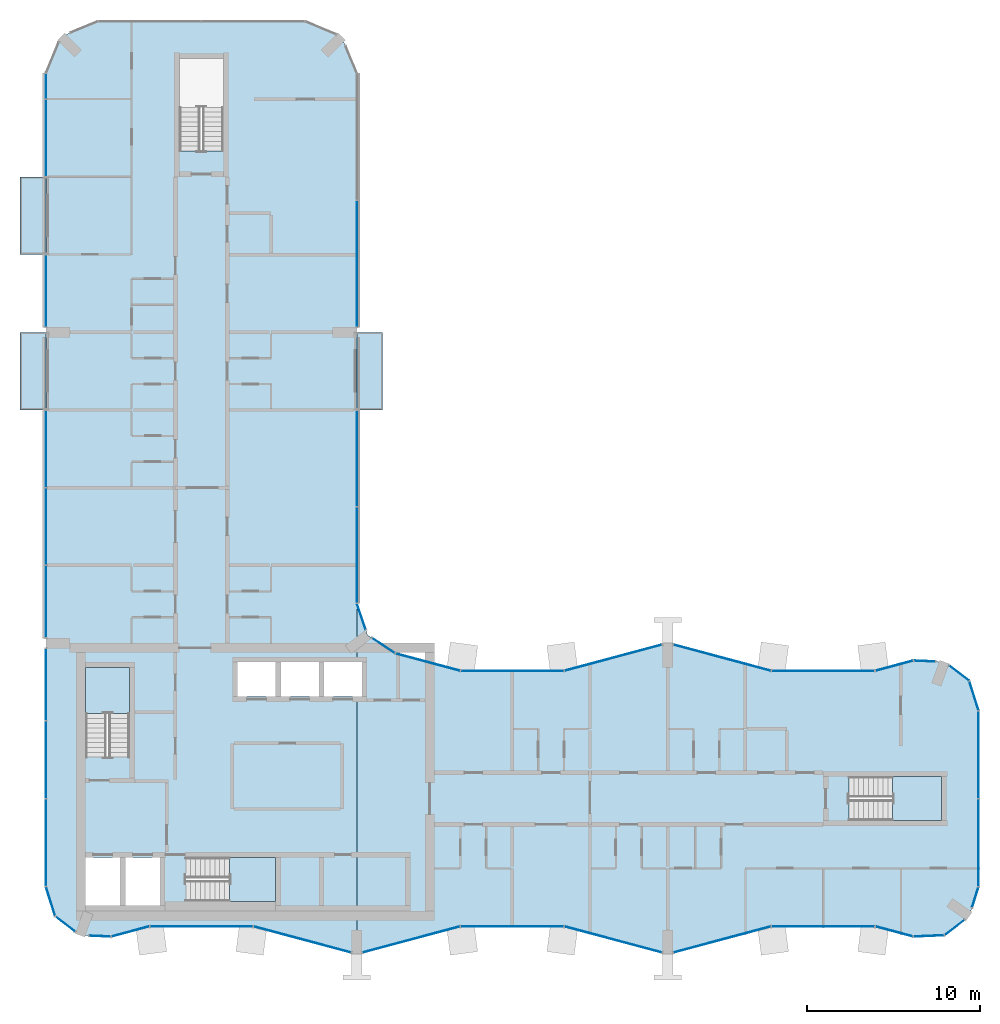
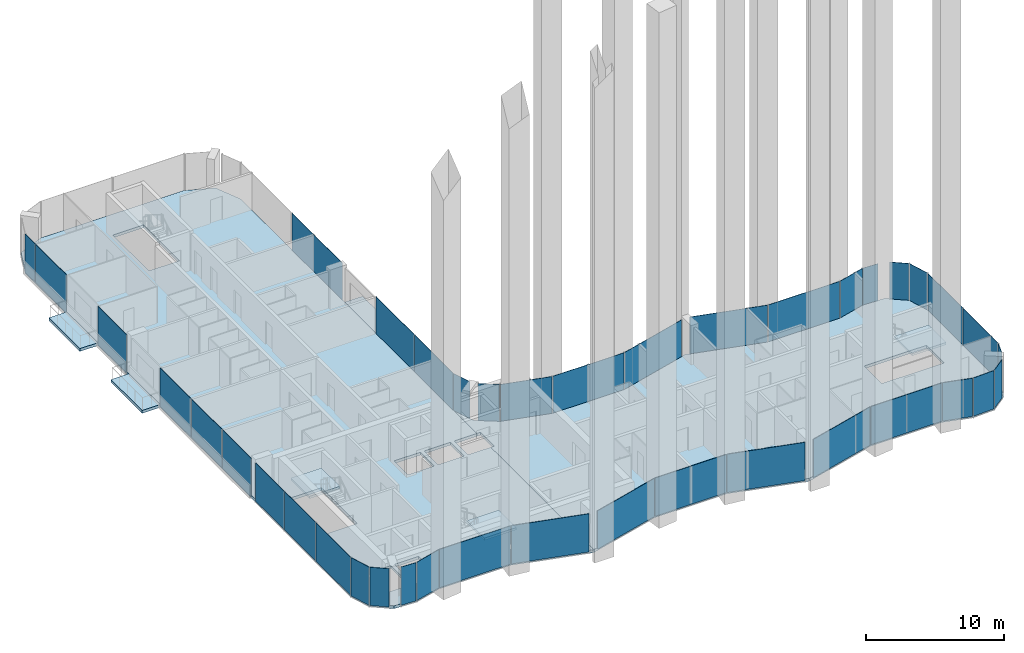
# One storey, part 8 of 17: 40 plates, 8 slabs, 36 elements without a shape of their own.
"""IFC4 building model written with IfcOpenShell, lengths in metres."""

import ifcopenshell
import ifcopenshell.guid

model = None  # the IFC model being written
_history = None  # IfcOwnerHistory: only IFC2X3 demands one
_inside = {}  # id of a spatial element -> (the spatial element, [elements in it])
_under = {}  # id of a project, library or spatial element -> (it, [spatial elements below it])
_declared = {}  # id of a project -> (the project, [libraries it declares])
_typed = {}  # id of a type object -> (the type object, [elements of that type])
_made_of = {}  # id of a material, layer set ... -> (it, [elements and type objects made of it])


def new_model(schema):
    """Start an empty IFC model of exactly this schema.

    Asked for "IFC4X3", IfcOpenShell would pick the latest addendum, in which some entities
    have other attributes; the version numbers below select the first issue.
    IFC2X3 requires an IfcOwnerHistory on every rooted entity: one is made here for all.
    """
    global model, _history
    if schema == "IFC4X3":
        model = ifcopenshell.file(schema_version=(4, 3, 0, 0))
    else:
        model = ifcopenshell.file(schema=schema)
    _inside.clear()
    _under.clear()
    _declared.clear()
    _typed.clear()
    _made_of.clear()
    _history = None
    if model.schema == "IFC2X3":
        org = make("IfcOrganization", Name="unknown")
        user = make(
            "IfcPersonAndOrganization",
            ThePerson=make("IfcPerson", FamilyName="unknown"),
            TheOrganization=org,
        )
        app = make(
            "IfcApplication",
            ApplicationDeveloper=org,
            Version="unknown",
            ApplicationFullName="unknown",
            ApplicationIdentifier="unknown",
        )
        _history = make(
            "IfcOwnerHistory",
            OwningUser=user,
            OwningApplication=app,
            ChangeAction="ADDED",
            CreationDate=0,
        )
    return model


def make(cls, **values):
    """One entity of the class cls with the attributes given. An attribute that is None is left unset."""
    return model.create_entity(
        cls, **{name: value for name, value in values.items() if value is not None}
    )


def rooted(cls, **values):
    """An entity with a GlobalId (a new one), such as an element, a storey or a relation."""
    return make(cls, GlobalId=ifcopenshell.guid.new(), OwnerHistory=_history, **values)


def si_unit(unit_type, name, prefix=None):
    """IfcSIUnit, for example si_unit("LENGTHUNIT", "METRE", prefix="MILLI")."""
    return make("IfcSIUnit", UnitType=unit_type, Prefix=prefix, Name=name)


def assignment(units):
    """IfcUnitAssignment: the units of a project."""
    return None if units is None else make("IfcUnitAssignment", Units=units)


def point(xyz):
    """IfcCartesianPoint."""
    return None if xyz is None else make("IfcCartesianPoint", Coordinates=xyz)


def direction(xyz):
    """IfcDirection."""
    return None if xyz is None else make("IfcDirection", DirectionRatios=xyz)


def frame(location, z_axis=None, x_axis=None):
    """IfcAxis2Placement3D, a coordinate frame: its origin and axes. An axis left out is left unset."""
    return make(
        "IfcAxis2Placement3D",
        Location=point(location),
        Axis=direction(z_axis),
        RefDirection=direction(x_axis),
    )


def frame_2d(location, x_axis=None):
    """IfcAxis2Placement2D, a coordinate frame in the plane: its origin and x axis."""
    return make(
        "IfcAxis2Placement2D", Location=point(location), RefDirection=direction(x_axis)
    )


def origin():
    """The frame at (0, 0, 0) with its axes left unset."""
    return frame((0.0, 0.0, 0.0))


def origin_2d():
    """The frame at (0, 0) in the plane with its x axis left unset."""
    return frame_2d((0.0, 0.0))


def place(relative_to, where):
    """IfcLocalPlacement: puts the frame where relative to a parent placement (None: the world)."""
    return make(
        "IfcLocalPlacement", PlacementRelTo=relative_to, RelativePlacement=where
    )


def context(
    kind, dimensions, precision=None, world=None, true_north=None, identifier=None
):
    """IfcGeometricRepresentationContext, for example the 3D "Model" context."""
    return make(
        "IfcGeometricRepresentationContext",
        ContextIdentifier=identifier,
        ContextType=kind,
        CoordinateSpaceDimension=dimensions,
        Precision=precision,
        WorldCoordinateSystem=world,
        TrueNorth=true_north,
    )


def subcontext(parent, identifier, kind, view, scale=None):
    """IfcGeometricRepresentationSubContext, for example "Body" below "Model"."""
    return make(
        "IfcGeometricRepresentationSubContext",
        ContextIdentifier=identifier,
        ContextType=kind,
        ParentContext=parent,
        TargetScale=scale,
        TargetView=view,
    )


def project(units=None, contexts=None):
    """IfcProject with its units and contexts."""
    return rooted(
        "IfcProject",
        Name="project",
        RepresentationContexts=contexts,
        UnitsInContext=assignment(units),
    )


def spatial(cls, under=None, at=None, **own):
    """A site, building, storey or space (cls), placed at a placement, below another one or the project."""
    s = rooted(cls, ObjectPlacement=at, **own)
    if under is not None:
        _under.setdefault(under.id(), (under, []))[1].append(s)
    return s


def polyline(points):
    """IfcPolyline through the points."""
    return make("IfcPolyline", Points=[point(p) for p in points])


def profile(cls, at=None, kind="AREA", **sizes):
    """A parametric profile (cls). Its sizes go by their IFC names, for example OverallWidth=200.0."""
    return make(cls, ProfileType=kind, Position=at, **sizes)


def rectangle(**sizes):
    """IfcRectangleProfileDef."""
    return profile("IfcRectangleProfileDef", **sizes)


def outline(outer, holes=None, kind="AREA"):
    """IfcArbitraryClosedProfileDef: a profile drawn as a closed curve; with holes, ...WithVoids."""
    if holes is None:
        return make("IfcArbitraryClosedProfileDef", ProfileType=kind, OuterCurve=outer)
    return make(
        "IfcArbitraryProfileDefWithVoids",
        ProfileType=kind,
        OuterCurve=outer,
        InnerCurves=holes,
    )


def extrude(swept, where, along, depth):
    """IfcExtrudedAreaSolid: the profile swept, set in the frame where, extruded along a direction by depth."""
    return make(
        "IfcExtrudedAreaSolid",
        SweptArea=swept,
        Position=where,
        ExtrudedDirection=direction(along),
        Depth=depth,
    )


def shape(context_of_items, identifier, shape_type, items):
    """IfcShapeRepresentation: the items that make up one representation, for example the "Body"."""
    return make(
        "IfcShapeRepresentation",
        ContextOfItems=context_of_items,
        RepresentationIdentifier=identifier,
        RepresentationType=shape_type,
        Items=items,
    )


def material(Name=None, Category=None):
    """IfcMaterial."""
    return make("IfcMaterial", Name=Name, Category=Category)


def layer(
    of_material, thickness, ventilated=None, Name=None, Category=None, Priority=None
):
    """IfcMaterialLayer: one layer of a wall or slab, of a material (None: an air gap)."""
    return make(
        "IfcMaterialLayer",
        Material=of_material,
        LayerThickness=thickness,
        IsVentilated=ventilated,
        Name=Name,
        Category=Category,
        Priority=Priority,
    )


def layer_set(layers, Name=None):
    """IfcMaterialLayerSet."""
    return make("IfcMaterialLayerSet", MaterialLayers=layers, LayerSetName=Name)


def made_of(thing, what):
    """Note that an element or type object is made of a material, layer set ...; save() writes the relation."""
    if what is not None:
        _made_of.setdefault(what.id(), (what, []))[1].append(thing)
    return thing


def type_object(cls, material=None, **own):
    """A type object (cls), such as IfcWallType, which elements share."""
    return made_of(rooted(cls, **own), material)


def element(
    cls,
    number,
    at=None,
    inside=None,
    cuts=None,
    type_object=None,
    material=None,
    context=None,
    identifier="Body",
    shape_type=None,
    held_by="IfcProductDefinitionShape",
    body=None,
    shapes=None,
    **own,
):
    """One element of the class cls, such as IfcWall. Its Tag is "e" and its number.

    at: its placement. inside: the storey or other place that contains it. cuts: it is an
    opening in that element (IfcRelVoidsElement). A single representation is given by context,
    identifier, shape_type and body (its items); several are given by shapes. held_by: the class
    of the entity that holds the representations. save() writes the other relations.
    """
    e = rooted(cls, Tag="e%d" % number, ObjectPlacement=at, **own)
    if body is not None:
        shapes = [shape(context, identifier, shape_type, body)]
    if shapes is not None:
        e.Representation = make(held_by, Representations=shapes)
    if inside is not None:
        _inside.setdefault(inside.id(), (inside, []))[1].append(e)
    if cuts is not None:
        rooted(
            "IfcRelVoidsElement", RelatingBuildingElement=cuts, RelatedOpeningElement=e
        )
    if type_object is not None:
        _typed.setdefault(type_object.id(), (type_object, []))[1].append(e)
    return made_of(e, material)


def aggregate(whole, parts):
    """IfcRelAggregates: a whole, such as a stair, and the parts it consists of."""
    return rooted("IfcRelAggregates", RelatingObject=whole, RelatedObjects=parts)


def save(model, path):
    """Write the relations noted so far, then the file.

    IfcRelAggregates (storeys below a building ...), IfcRelContainedInSpatialStructure (elements
    in a storey), IfcRelDefinesByType, IfcRelAssociatesMaterial and IfcRelDeclares: one each for
    every whole, place, type object, material and project.
    """
    for whole, parts in _under.values():
        aggregate(whole, parts)
    for where, things in _inside.values():
        rooted(
            "IfcRelContainedInSpatialStructure",
            RelatedElements=things,
            RelatingStructure=where,
        )
    for kind, things in _typed.values():
        rooted("IfcRelDefinesByType", RelatedObjects=things, RelatingType=kind)
    for what, things in _made_of.values():
        rooted("IfcRelAssociatesMaterial", RelatedObjects=things, RelatingMaterial=what)
    for by, libraries in _declared.values():
        rooted("IfcRelDeclares", RelatingContext=by, RelatedDefinitions=libraries)
    model.write(path)


model = new_model("IFC4")

# Units and contexts
model_context = context("Model", 3, precision=1e-05, world=origin(), true_north=direction((0.0, 1.0)))
body_context = subcontext(model_context, "Body", "Model", "MODEL_VIEW")
ifc_project = project(units=[si_unit("LENGTHUNIT", "METRE"), si_unit("AREAUNIT", "SQUARE_METRE"), si_unit("VOLUMEUNIT", "CUBIC_METRE"), si_unit("PLANEANGLEUNIT", "RADIAN"), si_unit("MASSUNIT", "GRAM", prefix="KILO")], contexts=[model_context])

# Site, building, storey
site_placement = place(None, origin())
site = spatial("IfcSite", under=ifc_project, at=site_placement, CompositionType="ELEMENT")
building_placement = place(site_placement, origin())
building = spatial("IfcBuilding", under=site, at=building_placement, Name="Plateau Cross Towers", CompositionType="ELEMENT")
storey_placement = place(building_placement, frame((0.0, 0.0, 190.89990234375)))
storey = spatial("IfcBuildingStorey", under=building, at=storey_placement, Name="L49", CompositionType="ELEMENT", Elevation=190.89990234375)

# Slabs
ifc_material_1 = material(Name="Concrete C40/50", Category="concrete")
ifc_layer_1 = layer(ifc_material_1, 0.25)
ifc_layer_set_1 = layer_set([ifc_layer_1], Name="Concrete C40/50")
slab_type_1 = type_object("IfcSlabType", Name="Balcony slab 250", PredefinedType="FLOOR", material=ifc_layer_set_1)
slab_1_placement = place(storey_placement, frame((0.0, 0.0, -0.25)))
element("IfcSlab", 1, at=slab_1_placement, inside=storey, type_object=slab_type_1, Name="Balcony slab A-BAL-L49-01", PredefinedType="FLOOR", context=body_context, shape_type="SweptSolid", body=[
    extrude(outline(polyline([(0.0, 31.5), (0.0, 36.0), (-1.5, 36.0), (-1.5, 31.5), (0.0, 31.5)])), origin(), (0.0, 0.0, 1.0), 0.25),
])
slab_2_placement = place(storey_placement, frame((0.0, 0.0, -0.25)))
element("IfcSlab", 2, at=slab_2_placement, inside=storey, type_object=slab_type_1, Name="Balcony slab A-BAL-L49-02", PredefinedType="FLOOR", context=body_context, shape_type="SweptSolid", body=[
    extrude(outline(polyline([(0.0, 40.5), (0.0, 45.0), (-1.5, 45.0), (-1.5, 40.5), (0.0, 40.5)])), origin(), (0.0, 0.0, 1.0), 0.25),
])
slab_3_placement = place(storey_placement, frame((0.0, 0.0, -0.25)))
element("IfcSlab", 3, at=slab_3_placement, inside=storey, type_object=slab_type_1, Name="Balcony slab A-BAL-L49-03", PredefinedType="FLOOR", context=body_context, shape_type="SweptSolid", body=[
    extrude(outline(polyline([(19.5, 31.5), (19.5, 36.0), (18.0, 36.0), (18.0, 31.5), (19.5, 31.5)])), origin(), (0.0, 0.0, 1.0), 0.25),
])

# Curtain wall, plate
ifc_material_2 = material(Name="Dark low-iron glass", Category="glass")
ifc_layer_2 = layer(ifc_material_2, 0.239990234375)
ifc_layer_set_2 = layer_set([ifc_layer_2], Name="Dark low-iron glass")
curtain_wall_type_1 = type_object("IfcCurtainWallType", Name="Curtain wall flush unitised CW-B", PredefinedType="NOTDEFINED", material=ifc_layer_set_2)
curtain_wall_1_placement = place(storey_placement, origin())
curtain_wall_1 = element("IfcCurtainWall", 4, at=curtain_wall_1_placement, inside=storey, type_object=curtain_wall_type_1, Name="ENV/A/L49/A502_10", PredefinedType="NOTDEFINED")
ifc_layer_3 = layer(ifc_material_2, 0.031982421875)
ifc_layer_set_3 = layer_set([ifc_layer_3], Name="Dark low-iron glass")
plate_type_1 = type_object("IfcPlateType", Name="Glass panel 32 flush unitised", PredefinedType="CURTAIN_PANEL", material=ifc_layer_set_3)
plate_1_placement = place(storey_placement, frame((51.125, 1.05078125, -0.1298828125), z_axis=(0.0, 0.0, 1.0), x_axis=(0.999043701491, 0.043722791671, 0.0)))
plate_1 = element("IfcPlate", 5, at=plate_1_placement, type_object=plate_type_1, Name="CW-B panel 1", PredefinedType="CURTAIN_PANEL", context=body_context, shape_type="SweptSolid", body=[
    extrude(rectangle(XDim=1.744140625, YDim=0.031982421875, at=origin_2d()), origin(), (0.0, 0.0, 1.0), 3.3798828125),
])
aggregate(curtain_wall_1, [plate_1])

curtain_wall_2_placement = place(storey_placement, origin())
curtain_wall_2 = element("IfcCurtainWall", 6, at=curtain_wall_2_placement, inside=storey, type_object=curtain_wall_type_1, Name="ENV/A/L49/A520_11", PredefinedType="NOTDEFINED")
plate_2_placement = place(storey_placement, frame((52.60986328125, 1.5380859375, -0.1298828125), z_axis=(0.0, 0.0, 1.0), x_axis=(0.793315514529, 0.608810721331, 0.0)))
plate_2 = element("IfcPlate", 7, at=plate_2_placement, type_object=plate_type_1, Name="CW-B panel 1", PredefinedType="CURTAIN_PANEL", context=body_context, shape_type="SweptSolid", body=[
    extrude(rectangle(XDim=1.41162109375, YDim=0.031982421875, at=origin_2d()), origin(), (0.0, 0.0, 1.0), 3.3798828125),
])
aggregate(curtain_wall_2, [plate_2])

curtain_wall_3_placement = place(storey_placement, origin())
curtain_wall_3 = element("IfcCurtainWall", 8, at=curtain_wall_3_placement, inside=storey, type_object=curtain_wall_type_1, Name="ENV/A/L49/A536_27", PredefinedType="NOTDEFINED")
plate_3_placement = place(storey_placement, frame((53.805419921875, 3.292236328125, -0.1298828125), z_axis=(0.0, 0.0, 1.0), x_axis=(0.300686174994, 0.95372313811, 0.0)))
plate_3 = element("IfcPlate", 9, at=plate_3_placement, type_object=plate_type_1, Name="CW-B panel 1", PredefinedType="CURTAIN_PANEL", context=body_context, shape_type="SweptSolid", body=[
    extrude(rectangle(XDim=1.233642578125, YDim=0.031982421875, at=origin_2d()), origin(), (0.0, 0.0, 1.0), 3.3798828125),
])
aggregate(curtain_wall_3, [plate_3])

# Curtain wall, plates
curtain_wall_4_placement = place(storey_placement, origin())
curtain_wall_4 = element("IfcCurtainWall", 10, at=curtain_wall_4_placement, inside=storey, type_object=curtain_wall_type_1, Name="ENV/A/L49/A540_39", PredefinedType="NOTDEFINED")
plate_4_placement = place(storey_placement, frame((54.0, 6.45458984375, -0.1298828125), z_axis=(0.0, 0.0, 1.0), x_axis=(0.0, 1.0, 0.0)))
plate_4 = element("IfcPlate", 11, at=plate_4_placement, type_object=plate_type_1, Name="CW-B panel 1", PredefinedType="CURTAIN_PANEL", context=body_context, shape_type="SweptSolid", body=[
    extrude(rectangle(XDim=5.03076171875, YDim=0.031982421875, at=origin_2d()), origin(), (0.0, 0.0, 1.0), 3.3798828125),
])
plate_5_placement = place(storey_placement, frame((54.0, 11.54541015625, -0.1298828125), z_axis=(0.0, 0.0, 1.0), x_axis=(0.0, 1.0, 0.0)))
plate_5 = element("IfcPlate", 12, at=plate_5_placement, type_object=plate_type_1, Name="CW-B panel 2", PredefinedType="CURTAIN_PANEL", context=body_context, shape_type="SweptSolid", body=[
    extrude(rectangle(XDim=5.03076171875, YDim=0.031982421875, at=origin_2d()), origin(), (0.0, 0.0, 1.0), 3.3798828125),
])
aggregate(curtain_wall_4, [plate_4, plate_5])

# Curtain wall, plate
curtain_wall_5_placement = place(storey_placement, origin())
curtain_wall_5 = element("IfcCurtainWall", 13, at=curtain_wall_5_placement, inside=storey, type_object=curtain_wall_type_1, Name="ENV/A/L49/A540_141", PredefinedType="NOTDEFINED")
plate_6_placement = place(storey_placement, frame((53.728759765625, 14.951171875, -0.1298828125), z_axis=(0.0, 0.0, 1.0), x_axis=(-0.300686174994, 0.95372313811, 0.0)))
plate_6 = element("IfcPlate", 14, at=plate_6_placement, type_object=plate_type_1, Name="CW-B panel 1", PredefinedType="CURTAIN_PANEL", context=body_context, shape_type="SweptSolid", body=[
    extrude(rectangle(XDim=1.744140625, YDim=0.031982421875, at=origin_2d()), origin(), (0.0, 0.0, 1.0), 3.3798828125),
])
aggregate(curtain_wall_5, [plate_6])

curtain_wall_6_placement = place(storey_placement, origin())
curtain_wall_6 = element("IfcCurtainWall", 15, at=curtain_wall_6_placement, inside=storey, type_object=curtain_wall_type_1, Name="ENV/A/L49/A535_158", PredefinedType="NOTDEFINED")
plate_7_placement = place(storey_placement, frame((52.873779296875, 16.25927734375, -0.1298828125), z_axis=(0.0, 0.0, 1.0), x_axis=(-0.793315514529, 0.608810721331, 0.0)))
plate_7 = element("IfcPlate", 16, at=plate_7_placement, type_object=plate_type_1, Name="CW-B panel 1", PredefinedType="CURTAIN_PANEL", context=body_context, shape_type="SweptSolid", body=[
    extrude(rectangle(XDim=1.41162109375, YDim=0.031982421875, at=origin_2d()), origin(), (0.0, 0.0, 1.0), 3.3798828125),
])
aggregate(curtain_wall_6, [plate_7])

curtain_wall_7_placement = place(storey_placement, origin())
curtain_wall_7 = element("IfcCurtainWall", 17, at=curtain_wall_7_placement, inside=storey, type_object=curtain_wall_type_1, Name="ENV/A/L49/A515_169", PredefinedType="NOTDEFINED")
plate_8_placement = place(storey_placement, frame((50.8701171875, 16.96044921875, -0.1298828125), z_axis=(0.0, 0.0, 1.0), x_axis=(-0.999043701491, 0.043722791671, 0.0)))
plate_8 = element("IfcPlate", 18, at=plate_8_placement, type_object=plate_type_1, Name="CW-B panel 1", PredefinedType="CURTAIN_PANEL", context=body_context, shape_type="SweptSolid", body=[
    extrude(rectangle(XDim=1.233642578125, YDim=0.031982421875, at=origin_2d()), origin(), (0.0, 0.0, 1.0), 3.3798828125),
])
aggregate(curtain_wall_7, [plate_8])

curtain_wall_8_placement = place(storey_placement, origin())
curtain_wall_8 = element("IfcCurtainWall", 19, at=curtain_wall_8_placement, inside=storey, type_object=curtain_wall_type_1, Name="ENV/A/L49/A202_174", PredefinedType="NOTDEFINED")
plate_9_placement = place(storey_placement, frame((19.546630859375, 17.856689453125, -0.1298828125), z_axis=(0.0, 0.0, 1.0), x_axis=(-0.831521253329, 0.555492938984, 0.0)))
plate_9 = element("IfcPlate", 20, at=plate_9_placement, type_object=plate_type_1, Name="CW-B panel 1", PredefinedType="CURTAIN_PANEL", context=body_context, shape_type="SweptSolid", body=[
    extrude(rectangle(XDim=1.56884765625, YDim=0.031982421875, at=origin_2d()), origin(), (0.0, 0.0, 1.0), 3.3798828125),
])
aggregate(curtain_wall_8, [plate_9])

curtain_wall_9_placement = place(storey_placement, origin())
curtain_wall_9 = element("IfcCurtainWall", 21, at=curtain_wall_9_placement, inside=storey, type_object=curtain_wall_type_1, Name="ENV/A/L49/A185_188", PredefinedType="NOTDEFINED")
plate_10_placement = place(storey_placement, frame((18.26171875, 19.531005859375, -0.1298828125), z_axis=(0.0, 0.0, 1.0), x_axis=(-0.321469161574, 0.94692004845, 0.0)))
plate_10 = element("IfcPlate", 22, at=plate_10_placement, type_object=plate_type_1, Name="CW-B panel 1", PredefinedType="CURTAIN_PANEL", context=body_context, shape_type="SweptSolid", body=[
    extrude(rectangle(XDim=1.56884765625, YDim=0.031982421875, at=origin_2d()), origin(), (0.0, 0.0, 1.0), 3.3798828125),
])
aggregate(curtain_wall_9, [plate_10])

# Curtain wall, plates
curtain_wall_10_placement = place(storey_placement, origin())
curtain_wall_10 = element("IfcCurtainWall", 23, at=curtain_wall_10_placement, inside=storey, type_object=curtain_wall_type_1, Name="ENV/A/L49/A180_203", PredefinedType="NOTDEFINED")
plate_11_placement = place(storey_placement, frame((18.0, 23.09912109375, -0.1298828125), z_axis=(0.0, 0.0, 1.0), x_axis=(0.0, 1.0, 0.0)))
plate_11 = element("IfcPlate", 24, at=plate_11_placement, type_object=plate_type_1, Name="CW-B panel 1", PredefinedType="CURTAIN_PANEL", context=body_context, shape_type="SweptSolid", body=[
    extrude(rectangle(XDim=5.533935546875, YDim=0.031982421875, at=origin_2d()), origin(), (0.0, 0.0, 1.0), 3.3798828125),
])
plate_12_placement = place(storey_placement, frame((18.0, 28.693115234375, -0.1298828125), z_axis=(0.0, 0.0, 1.0), x_axis=(0.0, 1.0, 0.0)))
plate_12 = element("IfcPlate", 25, at=plate_12_placement, type_object=plate_type_1, Name="CW-B panel 2", PredefinedType="CURTAIN_PANEL", context=body_context, shape_type="SweptSolid", body=[
    extrude(rectangle(XDim=5.533935546875, YDim=0.031982421875, at=origin_2d()), origin(), (0.0, 0.0, 1.0), 3.3798828125),
])
aggregate(curtain_wall_10, [plate_11, plate_12])

# Curtain wall, plate
curtain_wall_11_placement = place(storey_placement, origin())
curtain_wall_11 = element("IfcCurtainWall", 26, at=curtain_wall_11_placement, inside=storey, type_object=curtain_wall_type_1, Name="ENV/A/L49/A180_363", PredefinedType="NOTDEFINED")
plate_13_placement = place(storey_placement, frame((18.0, 39.97509765625, -0.1298828125), z_axis=(0.0, 0.0, 1.0), x_axis=(0.0, 1.0, 0.0)))
plate_13 = element("IfcPlate", 27, at=plate_13_placement, type_object=plate_type_1, Name="CW-B panel 1", PredefinedType="CURTAIN_PANEL", context=body_context, shape_type="SweptSolid", body=[
    extrude(rectangle(XDim=7.2900390625, YDim=0.031982421875, at=origin_2d()), origin(), (0.0, 0.0, 1.0), 3.3798828125),
])
aggregate(curtain_wall_11, [plate_13])

# Curtain wall, plates
curtain_wall_12_placement = place(storey_placement, origin())
curtain_wall_12 = element("IfcCurtainWall", 28, at=curtain_wall_12_placement, inside=storey, type_object=curtain_wall_type_1, Name="ENV/A/L49/A0_510", PredefinedType="NOTDEFINED")
plate_14_placement = place(storey_placement, frame((0.0, 50.25, -0.1298828125), z_axis=(0.0, 0.0, 1.0), x_axis=(0.0, -1.0, 0.0)))
plate_14 = element("IfcPlate", 29, at=plate_14_placement, type_object=plate_type_1, Name="CW-B panel 1", PredefinedType="CURTAIN_PANEL", context=body_context, shape_type="SweptSolid", body=[
    extrude(rectangle(XDim=1.43994140625, YDim=0.031982421875, at=origin_2d()), origin(), (0.0, 0.0, 1.0), 3.3798828125),
])
plate_15_placement = place(storey_placement, frame((0.0, 47.2548828125, -0.1298828125), z_axis=(0.0, 0.0, 1.0), x_axis=(0.0, -1.0, 0.0)))
plate_15 = element("IfcPlate", 30, at=plate_15_placement, type_object=plate_type_1, Name="CW-B panel 2", PredefinedType="CURTAIN_PANEL", context=body_context, shape_type="SweptSolid", body=[
    extrude(rectangle(XDim=4.429931640625, YDim=0.031982421875, at=origin_2d()), origin(), (0.0, 0.0, 1.0), 3.3798828125),
])
aggregate(curtain_wall_12, [plate_14, plate_15])

# Curtain wall, plate
curtain_wall_13_placement = place(storey_placement, origin())
curtain_wall_13 = element("IfcCurtainWall", 31, at=curtain_wall_13_placement, inside=storey, type_object=curtain_wall_type_1, Name="ENV/A/L49/A0_405", PredefinedType="NOTDEFINED")
plate_16_placement = place(storey_placement, frame((0.0, 38.39501953125, -0.1298828125), z_axis=(0.0, 0.0, 1.0), x_axis=(0.0, -1.0, 0.0)))
plate_16 = element("IfcPlate", 32, at=plate_16_placement, type_object=plate_type_1, Name="CW-B panel 1", PredefinedType="CURTAIN_PANEL", context=body_context, shape_type="SweptSolid", body=[
    extrude(rectangle(XDim=4.1298828125, YDim=0.031982421875, at=origin_2d()), origin(), (0.0, 0.0, 1.0), 3.3798828125),
])
aggregate(curtain_wall_13, [plate_16])

# Curtain wall, plates
curtain_wall_14_placement = place(storey_placement, origin())
curtain_wall_14 = element("IfcCurtainWall", 33, at=curtain_wall_14_placement, inside=storey, type_object=curtain_wall_type_1, Name="ENV/A/L49/A0_315", PredefinedType="NOTDEFINED")
plate_17_placement = place(storey_placement, frame((0.0, 29.2451171875, -0.1298828125), z_axis=(0.0, 0.0, 1.0), x_axis=(0.0, -1.0, 0.0)))
plate_17 = element("IfcPlate", 34, at=plate_17_placement, type_object=plate_type_1, Name="CW-B panel 1", PredefinedType="CURTAIN_PANEL", context=body_context, shape_type="SweptSolid", body=[
    extrude(rectangle(XDim=4.429931640625, YDim=0.031982421875, at=origin_2d()), origin(), (0.0, 0.0, 1.0), 3.3798828125),
])
plate_18_placement = place(storey_placement, frame((0.0, 24.75, -0.1298828125), z_axis=(0.0, 0.0, 1.0), x_axis=(0.0, -1.0, 0.0)))
plate_18 = element("IfcPlate", 35, at=plate_18_placement, type_object=plate_type_1, Name="CW-B panel 2", PredefinedType="CURTAIN_PANEL", context=body_context, shape_type="SweptSolid", body=[
    extrude(rectangle(XDim=4.43994140625, YDim=0.031982421875, at=origin_2d()), origin(), (0.0, 0.0, 1.0), 3.3798828125),
])
plate_19_placement = place(storey_placement, frame((0.0, 20.39990234375, -0.1298828125), z_axis=(0.0, 0.0, 1.0), x_axis=(0.0, -1.0, 0.0)))
plate_19 = element("IfcPlate", 36, at=plate_19_placement, type_object=plate_type_1, Name="CW-B panel 3", PredefinedType="CURTAIN_PANEL", context=body_context, shape_type="SweptSolid", body=[
    extrude(rectangle(XDim=4.139892578125, YDim=0.031982421875, at=origin_2d()), origin(), (0.0, 0.0, 1.0), 3.3798828125),
])
aggregate(curtain_wall_14, [plate_17, plate_18, plate_19])

curtain_wall_15_placement = place(storey_placement, origin())
curtain_wall_15 = element("IfcCurtainWall", 37, at=curtain_wall_15_placement, inside=storey, type_object=curtain_wall_type_1, Name="ENV/A/L49/A0_177", PredefinedType="NOTDEFINED")
plate_20_placement = place(storey_placement, frame((0.0, 15.60009765625, -0.1298828125), z_axis=(0.0, 0.0, 1.0), x_axis=(0.0, -1.0, 0.0)))
plate_20 = element("IfcPlate", 38, at=plate_20_placement, type_object=plate_type_1, Name="CW-B panel 1", PredefinedType="CURTAIN_PANEL", context=body_context, shape_type="SweptSolid", body=[
    extrude(rectangle(XDim=4.139892578125, YDim=0.031982421875, at=origin_2d()), origin(), (0.0, 0.0, 1.0), 3.3798828125),
])
plate_21_placement = place(storey_placement, frame((0.0, 11.25, -0.1298828125), z_axis=(0.0, 0.0, 1.0), x_axis=(0.0, -1.0, 0.0)))
plate_21 = element("IfcPlate", 39, at=plate_21_placement, type_object=plate_type_1, Name="CW-B panel 2", PredefinedType="CURTAIN_PANEL", context=body_context, shape_type="SweptSolid", body=[
    extrude(rectangle(XDim=4.43994140625, YDim=0.031982421875, at=origin_2d()), origin(), (0.0, 0.0, 1.0), 3.3798828125),
])
plate_22_placement = place(storey_placement, frame((0.0, 6.45458984375, -0.1298828125), z_axis=(0.0, 0.0, 1.0), x_axis=(0.0, -1.0, 0.0)))
plate_22 = element("IfcPlate", 40, at=plate_22_placement, type_object=plate_type_1, Name="CW-B panel 3", PredefinedType="CURTAIN_PANEL", context=body_context, shape_type="SweptSolid", body=[
    extrude(rectangle(XDim=5.03076171875, YDim=0.031982421875, at=origin_2d()), origin(), (0.0, 0.0, 1.0), 3.3798828125),
])
aggregate(curtain_wall_15, [plate_20, plate_21, plate_22])

# Curtain wall, plate
curtain_wall_16_placement = place(storey_placement, origin())
curtain_wall_16 = element("IfcCurtainWall", 41, at=curtain_wall_16_placement, inside=storey, type_object=curtain_wall_type_1, Name="ENV/A/L49/A0_39", PredefinedType="NOTDEFINED")
plate_23_placement = place(storey_placement, frame((0.271240234375, 3.048828125, -0.1298828125), z_axis=(0.0, 0.0, 1.0), x_axis=(0.300686174994, -0.95372313811, 0.0)))
plate_23 = element("IfcPlate", 42, at=plate_23_placement, type_object=plate_type_1, Name="CW-B panel 1", PredefinedType="CURTAIN_PANEL", context=body_context, shape_type="SweptSolid", body=[
    extrude(rectangle(XDim=1.744140625, YDim=0.031982421875, at=origin_2d()), origin(), (0.0, 0.0, 1.0), 3.3798828125),
])
aggregate(curtain_wall_16, [plate_23])

curtain_wall_17_placement = place(storey_placement, origin())
curtain_wall_17 = element("IfcCurtainWall", 43, at=curtain_wall_17_placement, inside=storey, type_object=curtain_wall_type_1, Name="ENV/A/L49/A5_22", PredefinedType="NOTDEFINED")
plate_24_placement = place(storey_placement, frame((1.126220703125, 1.74072265625, -0.1298828125), z_axis=(0.0, 0.0, 1.0), x_axis=(0.793315514529, -0.608810721331, 0.0)))
plate_24 = element("IfcPlate", 44, at=plate_24_placement, type_object=plate_type_1, Name="CW-B panel 1", PredefinedType="CURTAIN_PANEL", context=body_context, shape_type="SweptSolid", body=[
    extrude(rectangle(XDim=1.41162109375, YDim=0.031982421875, at=origin_2d()), origin(), (0.0, 0.0, 1.0), 3.3798828125),
])
aggregate(curtain_wall_17, [plate_24])

curtain_wall_18_placement = place(storey_placement, origin())
curtain_wall_18 = element("IfcCurtainWall", 45, at=curtain_wall_18_placement, inside=storey, type_object=curtain_wall_type_1, Name="ENV/A/L49/A25_11", PredefinedType="NOTDEFINED")
plate_25_placement = place(storey_placement, frame((3.1298828125, 1.03955078125, -0.1298828125), z_axis=(0.0, 0.0, 1.0), x_axis=(0.999043701491, -0.043722791671, 0.0)))
plate_25 = element("IfcPlate", 46, at=plate_25_placement, type_object=plate_type_1, Name="CW-B panel 1", PredefinedType="CURTAIN_PANEL", context=body_context, shape_type="SweptSolid", body=[
    extrude(rectangle(XDim=1.233642578125, YDim=0.031982421875, at=origin_2d()), origin(), (0.0, 0.0, 1.0), 3.3798828125),
])
aggregate(curtain_wall_18, [plate_25])

ifc_layer_4 = layer(ifc_material_2, 0.260009765625)
ifc_layer_set_4 = layer_set([ifc_layer_4], Name="Dark low-iron glass")
curtain_wall_type_2 = type_object("IfcCurtainWallType", Name="Curtain wall fluted unitised CW-A", PredefinedType="NOTDEFINED", material=ifc_layer_set_4)
curtain_wall_19_placement = place(storey_placement, origin())
curtain_wall_19 = element("IfcCurtainWall", 47, at=curtain_wall_19_placement, inside=storey, type_object=curtain_wall_type_2, Name="ENV/A/L49/A38_10", PredefinedType="NOTDEFINED")
ifc_layer_5 = layer(ifc_material_2, 0.035888671875)
ifc_layer_set_5 = layer_set([ifc_layer_5], Name="Dark low-iron glass")
plate_type_2 = type_object("IfcPlateType", Name="Glass panel 36 fluted unitised", PredefinedType="CURTAIN_PANEL", material=ifc_layer_set_5)
plate_26_placement = place(storey_placement, frame((4.887939453125, 1.30908203125, -0.1298828125), z_axis=(0.0, 0.0, 1.0), x_axis=(0.965957962328, 0.258699081978, 0.0)))
plate_26 = element("IfcPlate", 48, at=plate_26_placement, type_object=plate_type_2, Name="CW-A panel 1", PredefinedType="CURTAIN_PANEL", context=body_context, shape_type="SweptSolid", body=[
    extrude(rectangle(XDim=2.2421875, YDim=0.035888671875, at=origin_2d()), origin(), (0.0, 0.0, 1.0), 3.3798828125),
])
aggregate(curtain_wall_19, [plate_26])

curtain_wall_20_placement = place(storey_placement, origin())
curtain_wall_20 = element("IfcCurtainWall", 49, at=curtain_wall_20_placement, inside=storey, type_object=curtain_wall_type_2, Name="ENV/A/L49/A60_16", PredefinedType="NOTDEFINED")
plate_27_placement = place(storey_placement, frame((9.0, 1.60693359375, -0.1298828125), z_axis=(0.0, 0.0, 1.0), x_axis=(1.0, 0.0, 0.0)))
plate_27 = element("IfcPlate", 50, at=plate_27_placement, type_object=plate_type_2, Name="CW-A panel 1", PredefinedType="CURTAIN_PANEL", context=body_context, shape_type="SweptSolid", body=[
    extrude(rectangle(XDim=5.93994140625, YDim=0.035888671875, at=origin_2d()), origin(), (0.0, 0.0, 1.0), 3.3798828125),
])
aggregate(curtain_wall_20, [plate_27])

curtain_wall_21_placement = place(storey_placement, origin())
curtain_wall_21 = element("IfcCurtainWall", 51, at=curtain_wall_21_placement, inside=storey, type_object=curtain_wall_type_2, Name="ENV/A/L49/A120_16", PredefinedType="NOTDEFINED")
plate_28_placement = place(storey_placement, frame((14.841064453125, 0.845947265625, -0.1298828125), z_axis=(0.0, 0.0, 1.0), x_axis=(0.965957983404, -0.258699003279, 0.0)))
plate_28 = element("IfcPlate", 52, at=plate_28_placement, type_object=plate_type_2, Name="CW-A panel 1", PredefinedType="CURTAIN_PANEL", context=body_context, shape_type="SweptSolid", body=[
    extrude(rectangle(XDim=5.822265625, YDim=0.035888671875, at=origin_2d()), origin(), (0.0, 0.0, 1.0), 3.3798828125),
])
aggregate(curtain_wall_21, [plate_28])

curtain_wall_22_placement = place(storey_placement, origin())
curtain_wall_22 = element("IfcCurtainWall", 53, at=curtain_wall_22_placement, inside=storey, type_object=curtain_wall_type_2, Name="ENV/A/L49/A183_1", PredefinedType="NOTDEFINED")
plate_29_placement = place(storey_placement, frame((21.158935546875, 0.845947265625, -0.1298828125), z_axis=(0.0, 0.0, 1.0), x_axis=(0.965957983404, 0.258699003279, 0.0)))
plate_29 = element("IfcPlate", 54, at=plate_29_placement, type_object=plate_type_2, Name="CW-A panel 1", PredefinedType="CURTAIN_PANEL", context=body_context, shape_type="SweptSolid", body=[
    extrude(rectangle(XDim=5.822265625, YDim=0.035888671875, at=origin_2d()), origin(), (0.0, 0.0, 1.0), 3.3798828125),
])
aggregate(curtain_wall_22, [plate_29])

curtain_wall_23_placement = place(storey_placement, origin())
curtain_wall_23 = element("IfcCurtainWall", 55, at=curtain_wall_23_placement, inside=storey, type_object=curtain_wall_type_2, Name="ENV/A/L49/A240_16", PredefinedType="NOTDEFINED")
plate_30_placement = place(storey_placement, frame((27.0, 1.60693359375, -0.1298828125), z_axis=(0.0, 0.0, 1.0), x_axis=(1.0, 0.0, 0.0)))
plate_30 = element("IfcPlate", 56, at=plate_30_placement, type_object=plate_type_2, Name="CW-A panel 1", PredefinedType="CURTAIN_PANEL", context=body_context, shape_type="SweptSolid", body=[
    extrude(rectangle(XDim=5.93994140625, YDim=0.035888671875, at=origin_2d()), origin(), (0.0, 0.0, 1.0), 3.3798828125),
])
aggregate(curtain_wall_23, [plate_30])

curtain_wall_24_placement = place(storey_placement, origin())
curtain_wall_24 = element("IfcCurtainWall", 57, at=curtain_wall_24_placement, inside=storey, type_object=curtain_wall_type_2, Name="ENV/A/L49/A300_16", PredefinedType="NOTDEFINED")
plate_31_placement = place(storey_placement, frame((32.841064453125, 0.845947265625, -0.1298828125), z_axis=(0.0, 0.0, 1.0), x_axis=(0.965957983404, -0.258699003279, 0.0)))
plate_31 = element("IfcPlate", 58, at=plate_31_placement, type_object=plate_type_2, Name="CW-A panel 1", PredefinedType="CURTAIN_PANEL", context=body_context, shape_type="SweptSolid", body=[
    extrude(rectangle(XDim=5.822265625, YDim=0.035888671875, at=origin_2d()), origin(), (0.0, 0.0, 1.0), 3.3798828125),
])
aggregate(curtain_wall_24, [plate_31])

curtain_wall_25_placement = place(storey_placement, origin())
curtain_wall_25 = element("IfcCurtainWall", 59, at=curtain_wall_25_placement, inside=storey, type_object=curtain_wall_type_2, Name="ENV/A/L49/A363_1", PredefinedType="NOTDEFINED")
plate_32_placement = place(storey_placement, frame((39.158935546875, 0.845947265625, -0.1298828125), z_axis=(0.0, 0.0, 1.0), x_axis=(0.965957983404, 0.258699003279, 0.0)))
plate_32 = element("IfcPlate", 60, at=plate_32_placement, type_object=plate_type_2, Name="CW-A panel 1", PredefinedType="CURTAIN_PANEL", context=body_context, shape_type="SweptSolid", body=[
    extrude(rectangle(XDim=5.822265625, YDim=0.035888671875, at=origin_2d()), origin(), (0.0, 0.0, 1.0), 3.3798828125),
])
aggregate(curtain_wall_25, [plate_32])

curtain_wall_26_placement = place(storey_placement, origin())
curtain_wall_26 = element("IfcCurtainWall", 61, at=curtain_wall_26_placement, inside=storey, type_object=curtain_wall_type_2, Name="ENV/A/L49/A420_16", PredefinedType="NOTDEFINED")
plate_33_placement = place(storey_placement, frame((45.0, 1.60693359375, -0.1298828125), z_axis=(0.0, 0.0, 1.0), x_axis=(1.0, 0.0, 0.0)))
plate_33 = element("IfcPlate", 62, at=plate_33_placement, type_object=plate_type_2, Name="CW-A panel 1", PredefinedType="CURTAIN_PANEL", context=body_context, shape_type="SweptSolid", body=[
    extrude(rectangle(XDim=5.93994140625, YDim=0.035888671875, at=origin_2d()), origin(), (0.0, 0.0, 1.0), 3.3798828125),
])
aggregate(curtain_wall_26, [plate_33])

curtain_wall_27_placement = place(storey_placement, origin())
curtain_wall_27 = element("IfcCurtainWall", 63, at=curtain_wall_27_placement, inside=storey, type_object=curtain_wall_type_2, Name="ENV/A/L49/A480_16", PredefinedType="NOTDEFINED")
plate_34_placement = place(storey_placement, frame((49.112060546875, 1.30908203125, -0.1298828125), z_axis=(0.0, 0.0, 1.0), x_axis=(0.965957962328, -0.258699081978, 0.0)))
plate_34 = element("IfcPlate", 64, at=plate_34_placement, type_object=plate_type_2, Name="CW-A panel 1", PredefinedType="CURTAIN_PANEL", context=body_context, shape_type="SweptSolid", body=[
    extrude(rectangle(XDim=2.2421875, YDim=0.035888671875, at=origin_2d()), origin(), (0.0, 0.0, 1.0), 3.3798828125),
])
aggregate(curtain_wall_27, [plate_34])

curtain_wall_28_placement = place(storey_placement, origin())
curtain_wall_28 = element("IfcCurtainWall", 65, at=curtain_wall_28_placement, inside=storey, type_object=curtain_wall_type_2, Name="ENV/A/L49/A502_170", PredefinedType="NOTDEFINED")
plate_35_placement = place(storey_placement, frame((49.112060546875, 16.69091796875, -0.1298828125), z_axis=(0.0, 0.0, 1.0), x_axis=(-0.965957962328, -0.258699081978, 0.0)))
plate_35 = element("IfcPlate", 66, at=plate_35_placement, type_object=plate_type_2, Name="CW-A panel 1", PredefinedType="CURTAIN_PANEL", context=body_context, shape_type="SweptSolid", body=[
    extrude(rectangle(XDim=2.2421875, YDim=0.035888671875, at=origin_2d()), origin(), (0.0, 0.0, 1.0), 3.3798828125),
])
aggregate(curtain_wall_28, [plate_35])

curtain_wall_29_placement = place(storey_placement, origin())
curtain_wall_29 = element("IfcCurtainWall", 67, at=curtain_wall_29_placement, inside=storey, type_object=curtain_wall_type_2, Name="ENV/A/L49/A480_164", PredefinedType="NOTDEFINED")
plate_36_placement = place(storey_placement, frame((45.0, 16.39306640625, -0.1298828125), z_axis=(0.0, 0.0, 1.0), x_axis=(-1.0, 0.0, 0.0)))
plate_36 = element("IfcPlate", 68, at=plate_36_placement, type_object=plate_type_2, Name="CW-A panel 1", PredefinedType="CURTAIN_PANEL", context=body_context, shape_type="SweptSolid", body=[
    extrude(rectangle(XDim=5.93994140625, YDim=0.035888671875, at=origin_2d()), origin(), (0.0, 0.0, 1.0), 3.3798828125),
])
aggregate(curtain_wall_29, [plate_36])

curtain_wall_30_placement = place(storey_placement, origin())
curtain_wall_30 = element("IfcCurtainWall", 69, at=curtain_wall_30_placement, inside=storey, type_object=curtain_wall_type_2, Name="ENV/A/L49/A420_164", PredefinedType="NOTDEFINED")
plate_37_placement = place(storey_placement, frame((39.158935546875, 17.154052734375, -0.1298828125), z_axis=(0.0, 0.0, 1.0), x_axis=(-0.965957983404, 0.258699003279, 0.0)))
plate_37 = element("IfcPlate", 70, at=plate_37_placement, type_object=plate_type_2, Name="CW-A panel 1", PredefinedType="CURTAIN_PANEL", context=body_context, shape_type="SweptSolid", body=[
    extrude(rectangle(XDim=5.822265625, YDim=0.035888671875, at=origin_2d()), origin(), (0.0, 0.0, 1.0), 3.3798828125),
])
aggregate(curtain_wall_30, [plate_37])

curtain_wall_31_placement = place(storey_placement, origin())
curtain_wall_31 = element("IfcCurtainWall", 71, at=curtain_wall_31_placement, inside=storey, type_object=curtain_wall_type_2, Name="ENV/A/L49/A357_179", PredefinedType="NOTDEFINED")
plate_38_placement = place(storey_placement, frame((32.841064453125, 17.154052734375, -0.1298828125), z_axis=(0.0, 0.0, 1.0), x_axis=(-0.965957983404, -0.258699003279, 0.0)))
plate_38 = element("IfcPlate", 72, at=plate_38_placement, type_object=plate_type_2, Name="CW-A panel 1", PredefinedType="CURTAIN_PANEL", context=body_context, shape_type="SweptSolid", body=[
    extrude(rectangle(XDim=5.822265625, YDim=0.035888671875, at=origin_2d()), origin(), (0.0, 0.0, 1.0), 3.3798828125),
])
aggregate(curtain_wall_31, [plate_38])

curtain_wall_32_placement = place(storey_placement, origin())
curtain_wall_32 = element("IfcCurtainWall", 73, at=curtain_wall_32_placement, inside=storey, type_object=curtain_wall_type_2, Name="ENV/A/L49/A300_164", PredefinedType="NOTDEFINED")
plate_39_placement = place(storey_placement, frame((27.0, 16.39306640625, -0.1298828125), z_axis=(0.0, 0.0, 1.0), x_axis=(-1.0, 0.0, 0.0)))
plate_39 = element("IfcPlate", 74, at=plate_39_placement, type_object=plate_type_2, Name="CW-A panel 1", PredefinedType="CURTAIN_PANEL", context=body_context, shape_type="SweptSolid", body=[
    extrude(rectangle(XDim=5.93994140625, YDim=0.035888671875, at=origin_2d()), origin(), (0.0, 0.0, 1.0), 3.3798828125),
])
aggregate(curtain_wall_32, [plate_39])

curtain_wall_33_placement = place(storey_placement, origin())
curtain_wall_33 = element("IfcCurtainWall", 75, at=curtain_wall_33_placement, inside=storey, type_object=curtain_wall_type_2, Name="ENV/A/L49/A240_164", PredefinedType="NOTDEFINED")
plate_40_placement = place(storey_placement, frame((22.112060546875, 16.898681640625, -0.1298828125), z_axis=(0.0, 0.0, 1.0), x_axis=(-0.965957995816, 0.258698956933, 0.0)))
plate_40 = element("IfcPlate", 76, at=plate_40_placement, type_object=plate_type_2, Name="CW-A panel 1", PredefinedType="CURTAIN_PANEL", context=body_context, shape_type="SweptSolid", body=[
    extrude(rectangle(XDim=3.84912109375, YDim=0.035888671875, at=origin_2d()), origin(), (0.0, 0.0, 1.0), 3.3798828125),
])
aggregate(curtain_wall_33, [plate_40])

# Slabs
ifc_layer_6 = layer(ifc_material_1, 0.25)
ifc_layer_set_6 = layer_set([ifc_layer_6], Name="Concrete C40/50")
slab_type_2 = type_object("IfcSlabType", Name="Post-tensioned flat plate slab 250", PredefinedType="FLOOR", material=ifc_layer_set_6)
slab_4_placement = place(storey_placement, frame((0.0, 0.0, -0.25)))
element("IfcSlab", 77, at=slab_4_placement, inside=storey, type_object=slab_type_2, Name="SL-A-L49 1", PredefinedType="FLOOR", context=body_context, shape_type="SweptSolid", body=[
    extrude(outline(polyline([(0.54248046875, 2.1884765625), (0.0, 3.9091796875), (0.0, 51.0), (0.878662109375, 53.121337890625), (3.0, 54.0), (15.0, 54.0), (17.121337890625, 53.121337890625), (18.0, 51.0), (18.0, 20.30224609375), (18.0, 16.89990234375), (16.10009765625, 16.89990234375), (16.10009765625, 14.89990234375), (18.0, 14.89990234375), (18.0, 0.0), (12.0, 1.60693359375), (6.0, 1.60693359375), (3.776123046875, 1.01123046875), (1.9736328125, 1.090087890625), (0.54248046875, 2.1884765625)]), holes=[polyline([(2.300048828125, 5.60009765625), (2.300048828125, 2.800048828125), (4.300048828125, 2.800048828125), (4.300048828125, 5.60009765625), (2.300048828125, 5.60009765625)]), polyline([(4.60009765625, 5.60009765625), (4.60009765625, 2.800048828125), (6.60009765625, 2.800048828125), (6.60009765625, 5.60009765625), (4.60009765625, 5.60009765625)]), polyline([(8.10009765625, 5.60009765625), (8.10009765625, 3.050048828125), (13.300048828125, 3.050048828125), (13.300048828125, 5.60009765625), (8.10009765625, 5.60009765625)]), polyline([(2.300048828125, 11.39990234375), (4.85009765625, 11.39990234375), (4.85009765625, 16.60009765625), (2.300048828125, 16.60009765625), (2.300048828125, 11.39990234375)]), polyline([(11.10009765625, 16.89990234375), (11.10009765625, 14.89990234375), (13.300048828125, 14.89990234375), (13.300048828125, 16.89990234375), (11.10009765625, 16.89990234375)]), polyline([(13.60009765625, 16.89990234375), (13.60009765625, 14.89990234375), (15.800048828125, 14.89990234375), (15.800048828125, 16.89990234375), (13.60009765625, 16.89990234375)]), polyline([(7.72509765625, 51.699951171875), (7.72509765625, 46.5), (10.27490234375, 46.5), (10.27490234375, 51.699951171875), (7.72509765625, 51.699951171875)])]), origin(), (0.0, 0.0, 1.0), 0.25),
])
slab_5_placement = place(storey_placement, frame((0.0, 0.0, -0.25)))
element("IfcSlab", 78, at=slab_5_placement, inside=storey, type_object=slab_type_2, Name="SL-A-L49 2", PredefinedType="FLOOR", context=body_context, shape_type="SweptSolid", body=[
    extrude(outline(polyline([(18.6201171875, 18.475830078125), (20.223876953125, 17.404296875), (24.0, 16.39306640625), (30.0, 16.39306640625), (36.0, 18.0), (42.0, 16.39306640625), (48.0, 16.39306640625), (50.223876953125, 16.98876953125), (52.0263671875, 16.909912109375), (53.45751953125, 15.8115234375), (54.0, 14.0908203125), (54.0, 3.9091796875), (53.45751953125, 2.1884765625), (52.0263671875, 1.090087890625), (50.223876953125, 1.01123046875), (48.0, 1.60693359375), (42.0, 1.60693359375), (36.0, 0.0), (30.0, 1.60693359375), (24.0, 1.60693359375), (18.0, 0.0), (18.0, 14.89990234375), (18.300048828125, 14.89990234375), (18.300048828125, 16.89990234375), (18.0, 16.89990234375), (18.0, 20.30224609375), (18.6201171875, 18.475830078125)]), holes=[polyline([(46.5, 10.27490234375), (46.5, 7.72509765625), (51.699951171875, 7.72509765625), (51.699951171875, 10.27490234375), (46.5, 10.27490234375)])]), origin(), (0.0, 0.0, 1.0), 0.25),
])

# Stair, slab
stair_type = type_object("IfcStairType", Name="ST-TWR", PredefinedType="HALF_TURN_STAIR", material=ifc_material_1)
stair_1_placement = place(storey_placement, origin())
stair_1 = element("IfcStair", 79, at=stair_1_placement, inside=storey, type_object=stair_type, Name="L49 Protected Exit Stair ST-1", PredefinedType="HALF_TURN_STAIR")
ifc_layer_7 = layer(ifc_material_1, 0.199951171875)
ifc_layer_set_7 = layer_set([ifc_layer_7], Name="Concrete C40/50")
slab_type_3 = type_object("IfcSlabType", Name="SL-LANDING", PredefinedType="LANDING", material=ifc_layer_set_7)
slab_6_placement = place(storey_placement, frame((0.0, 0.0, 1.550048828125)))
slab_6 = element("IfcSlab", 80, at=slab_6_placement, type_object=slab_type_3, Name="ST-1 landing 1", PredefinedType="LANDING", context=body_context, shape_type="SweptSolid", body=[
    extrude(outline(polyline([(4.85009765625, 13.919921875), (4.85009765625, 16.60009765625), (2.300048828125, 16.60009765625), (2.300048828125, 13.919921875), (4.85009765625, 13.919921875)])), origin(), (0.0, 0.0, 1.0), 0.199951171875),
])
aggregate(stair_1, [slab_6])

stair_2_placement = place(storey_placement, origin())
stair_2 = element("IfcStair", 81, at=stair_2_placement, inside=storey, type_object=stair_type, Name="L49 Protected Exit Stair ST-2", PredefinedType="HALF_TURN_STAIR")
slab_7_placement = place(storey_placement, frame((0.0, 0.0, 1.550048828125)))
slab_7 = element("IfcSlab", 82, at=slab_7_placement, type_object=slab_type_3, Name="ST-2 landing 1", PredefinedType="LANDING", context=body_context, shape_type="SweptSolid", body=[
    extrude(outline(polyline([(10.6201171875, 3.050048828125), (13.300048828125, 3.050048828125), (13.300048828125, 5.60009765625), (10.6201171875, 5.60009765625), (10.6201171875, 3.050048828125)])), origin(), (0.0, 0.0, 1.0), 0.199951171875),
])
aggregate(stair_2, [slab_7])

stair_3_placement = place(storey_placement, origin())
stair_3 = element("IfcStair", 83, at=stair_3_placement, inside=storey, type_object=stair_type, Name="L49 Protected Exit Stair E", PredefinedType="HALF_TURN_STAIR")
slab_8_placement = place(storey_placement, frame((0.0, 0.0, 1.550048828125)))
slab_8 = element("IfcSlab", 84, at=slab_8_placement, type_object=slab_type_3, Name="ES-E landing 1", PredefinedType="LANDING", context=body_context, shape_type="SweptSolid", body=[
    extrude(outline(polyline([(49.02001953125, 7.72509765625), (51.85009765625, 7.72509765625), (51.85009765625, 10.27490234375), (49.02001953125, 10.27490234375), (49.02001953125, 7.72509765625)])), origin(), (0.0, 0.0, 1.0), 0.199951171875),
])
aggregate(stair_3, [slab_8])

save(model, "model.ifc")
